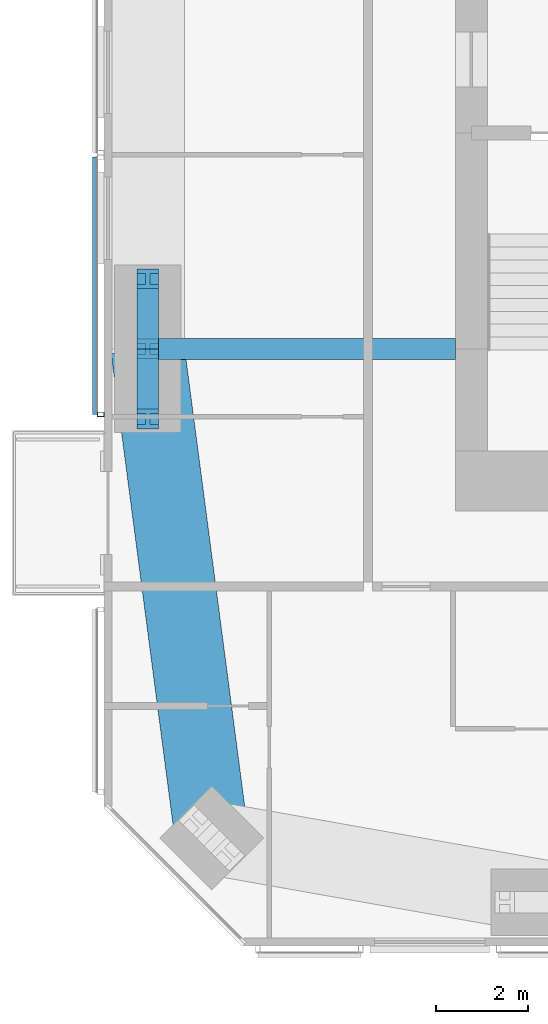
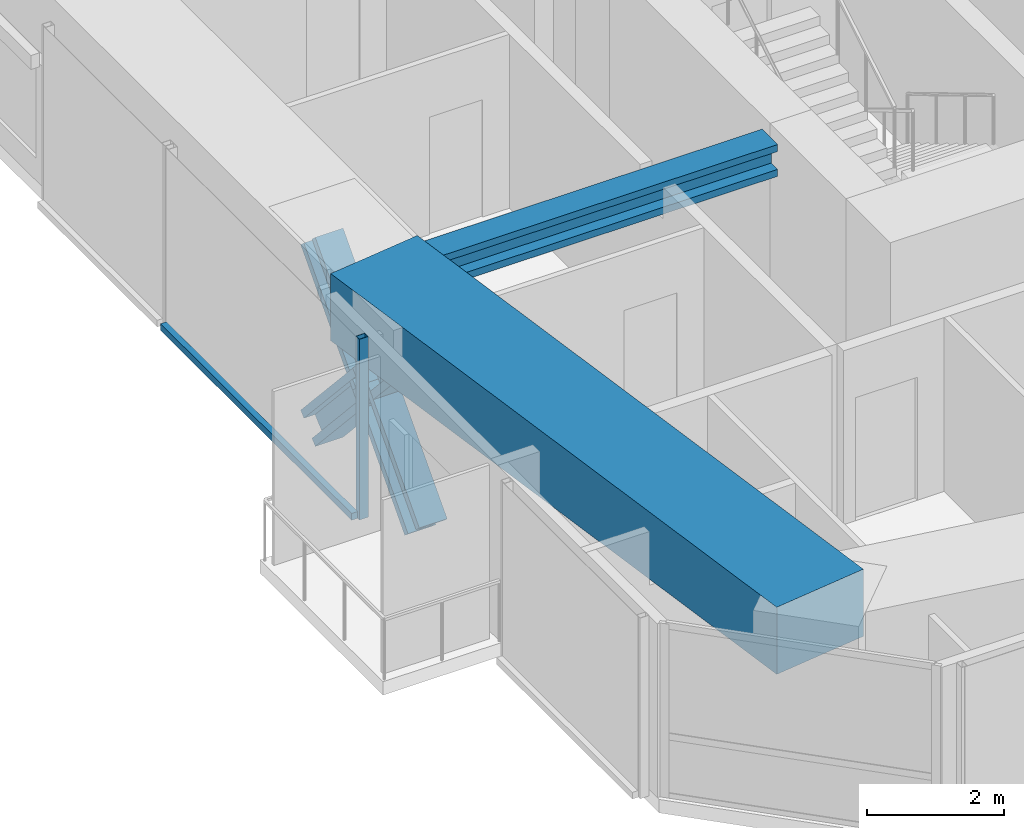
# One storey, part 3 of 23: 6 members, 2 beams, 1 element without a shape of its own.
"""IFC4 building model written with IfcOpenShell, lengths in metres."""

from ifc_helpers import new_model, si_unit, direction, frame, origin, origin_2d, place, context, subcontext, project, spatial, rectangle, hollow_rectangle, i_section, extrude, material, material_profile, profile_set, type_object, element, aggregate, save


model = new_model("IFC4")

# Units and contexts
model_context = context("Model", 3, precision=1e-05, world=origin(), true_north=direction((0.0, 1.0)))
body_context = subcontext(model_context, "Body", "Model", "MODEL_VIEW")
ifc_project = project(units=[si_unit("LENGTHUNIT", "METRE"), si_unit("AREAUNIT", "SQUARE_METRE"), si_unit("VOLUMEUNIT", "CUBIC_METRE"), si_unit("PLANEANGLEUNIT", "RADIAN"), si_unit("MASSUNIT", "GRAM", prefix="KILO")], contexts=[model_context])

# Site, building, storey
site_placement = place(None, origin())
site = spatial("IfcSite", under=ifc_project, at=site_placement, CompositionType="ELEMENT")
building_placement = place(site_placement, origin())
building = spatial("IfcBuilding", under=site, at=building_placement, Name="Jalousie Tower", CompositionType="ELEMENT")
storey_placement = place(building_placement, frame((0.0, 0.0, 191.199951171875)))
storey = spatial("IfcBuildingStorey", under=building, at=storey_placement, Name="L52", CompositionType="ELEMENT", Elevation=191.199951171875)

# Beam
ifc_material_1 = material(Name="Steel ASTM A992 Grade 50", Category="steel")
ifc_material_profile_1 = material_profile(ifc_material_1, i_section(OverallWidth=0.45458984375, OverallDepth=0.569091796875, WebThickness=0.077880859375, FlangeThickness=0.124755859375, at=origin_2d()), Name="W14X730")
ifc_profile_set_1 = profile_set([ifc_material_profile_1], Name="Steel ASTM A992 Grade 50")
beam_type_1 = type_object("IfcBeamType", Name="LEAN COLLECTOR W14X730", PredefinedType="BEAM", material=ifc_profile_set_1)
beam_1_placement = place(storey_placement, frame((12.949951171875, 13.0, 2.825439453125), z_axis=(1.0, 0.0, 0.0), x_axis=(0.0, 1.0, 0.0)))
element("IfcBeam", 1, at=beam_1_placement, inside=storey, type_object=beam_type_1, Name="Lean collector under L53", PredefinedType="BEAM", context=body_context, shape_type="SweptSolid", body=[
    extrude(i_section(OverallWidth=0.45458984375, OverallDepth=0.569091796875, WebThickness=0.077880859375, FlangeThickness=0.124755859375, at=origin_2d()), origin(), (0.0, 0.0, 1.0), 6.699951171875),
])

# Members
ifc_material_2 = material(Name="Steel ASTM A992 Grade 50", Category="steel")
ifc_material_profile_2 = material_profile(ifc_material_2, i_section(OverallWidth=0.472412109375, OverallDepth=0.5791015625, WebThickness=0.094970703125, FlangeThickness=0.1298828125, at=origin_2d()), Name="W14X808")
ifc_profile_set_2 = profile_set([ifc_material_profile_2], Name="Steel ASTM A992 Grade 50")
member_type_1 = type_object("IfcMemberType", Name="PERIMETER BRACE W14X808", PredefinedType="BRACE", material=ifc_profile_set_2)
for number, where, z_axis, x_axis, name in (
    (2, (12.949951171875, 11.47509765625, -0.599853515625), (0.0, 0.673241284601, 0.739422864611), (-1.0, 0.0, 0.0), "Perimeter brace 14 L52 part 1"),
    (3, (12.949951171875, 13.0, 1.074951171875), (0.0, 0.673187629365, 0.739471713908), (-1.0, 0.0, 0.0), "Perimeter brace 14 L52 part 2"),
    (4, (12.949951171875, 14.52490234375, -0.599853515625), (0.0, -0.673241284601, 0.739422864611), (1.0, 0.0, 0.0), "Perimeter brace 14 L52 part 3"),
    (5, (12.949951171875, 13.0, 1.074951171875), (0.0, -0.673187629365, 0.739471713908), (1.0, 0.0, 0.0), "Perimeter brace 14 L52 part 4"),
):
    element("IfcMember", number, at=place(storey_placement, frame(where, z_axis=z_axis, x_axis=x_axis)), inside=storey, type_object=member_type_1, Name=name, PredefinedType="BRACE", context=body_context, shape_type="SweptSolid", body=[
        extrude(i_section(OverallWidth=0.472412109375, OverallDepth=0.5791015625, WebThickness=0.094970703125, FlangeThickness=0.1298828125, at=origin_2d()), origin(), (0.0, 0.0, 1.0), 2.26513671875),
    ])

# Beam
ifc_material_3 = material(Name="Concrete f'c 40 MPa", Category="concrete")
ifc_material_profile_3 = material_profile(ifc_material_3, rectangle(XDim=1.60009765625, YDim=1.199951171875, at=origin_2d()), Name="RC 1600x1200")
ifc_profile_set_3 = profile_set([ifc_material_profile_3], Name="Concrete f'c 40 MPa")
beam_type_2 = type_object("IfcBeamType", Name="RC BEAM 1600x1200", PredefinedType="BEAM", material=ifc_profile_set_3)
beam_2_placement = place(storey_placement, frame((12.949951171875, 13.0, 2.75), z_axis=(0.130171745558, -0.991491460709, 0.0), x_axis=(0.991491460709, 0.130171745558, 0.0)))
element("IfcBeam", 6, at=beam_2_placement, inside=storey, type_object=beam_type_2, Name="Edge band beam 14-01 under L53", PredefinedType="BEAM", context=body_context, shape_type="SweptSolid", body=[
    extrude(rectangle(XDim=1.60009765625, YDim=1.199951171875, at=origin_2d()), origin(), (0.0, 0.0, 1.0), 10.742919921875),
])

# Curtain wall, members
ifc_material_4 = material(Name="Perforated aluminium sheet", Category="aluminium")
curtain_wall_type = type_object("IfcCurtainWallType", Name="SOLAR SCREEN SS-1", PredefinedType="USERDEFINED", material=ifc_material_4)
curtain_wall_placement = place(storey_placement, origin())
curtain_wall = element("IfcCurtainWall", 7, at=curtain_wall_placement, inside=storey, type_object=curtain_wall_type, Name="Solar screen L52", ObjectType="SOLAR SCREEN SS-1", PredefinedType="USERDEFINED")
ifc_material_5 = material(Name="Steel ASTM A500 Grade C", Category="steel")
ifc_material_profile_4 = material_profile(ifc_material_5, hollow_rectangle(XDim=0.1015625, YDim=0.15234375, WallThickness=0.00634765625, at=origin_2d()), Name="HSS6X4X1/4")
ifc_profile_set_4 = profile_set([ifc_material_profile_4], Name="Steel ASTM A500 Grade C")
member_type_2 = type_object("IfcMemberType", Name="SOLAR SCREEN SS-1 MULLION", PredefinedType="MULLION", material=ifc_profile_set_4)
member_1_placement = place(storey_placement, frame((11.9287109375, 11.574951171875, -0.119873046875), z_axis=(0.0, 0.0, 1.0), x_axis=(0.0, -1.0, 0.0)))
member_1 = element("IfcMember", 8, at=member_1_placement, type_object=member_type_2, Name="SS1 post 2", PredefinedType="MULLION", context=body_context, shape_type="SweptSolid", body=[
    extrude(hollow_rectangle(XDim=0.1015625, YDim=0.15234375, WallThickness=0.00634765625, at=origin_2d()), origin(), (0.0, 0.0, 1.0), 3.22998046875),
])
ifc_material_6 = material(Name="Extruded aluminium screen rail", Category="aluminium")
ifc_material_profile_5 = material_profile(ifc_material_6, rectangle(XDim=0.1015625, YDim=0.1201171875, at=origin_2d()), Name="RAIL 102x120")
ifc_profile_set_5 = profile_set([ifc_material_profile_5], Name="Extruded aluminium screen rail")
member_type_3 = type_object("IfcMemberType", Name="SOLAR SCREEN SS-1 TRANSOM", PredefinedType="USERDEFINED", material=ifc_profile_set_5)
member_2_placement = place(storey_placement, frame((11.8017578125, 17.175048828125, -0.06005859375), z_axis=(0.0, -1.0, 0.0), x_axis=(1.0, 0.0, 0.0)))
member_2 = element("IfcMember", 9, at=member_2_placement, type_object=member_type_3, Name="SS1 rail", ObjectType="TRANSOM", PredefinedType="USERDEFINED", context=body_context, shape_type="SweptSolid", body=[
    extrude(rectangle(XDim=0.1015625, YDim=0.1201171875, at=origin_2d()), origin(), (0.0, 0.0, 1.0), 5.60009765625),
])
aggregate(curtain_wall, [member_1, member_2])

save(model, "model.ifc")
